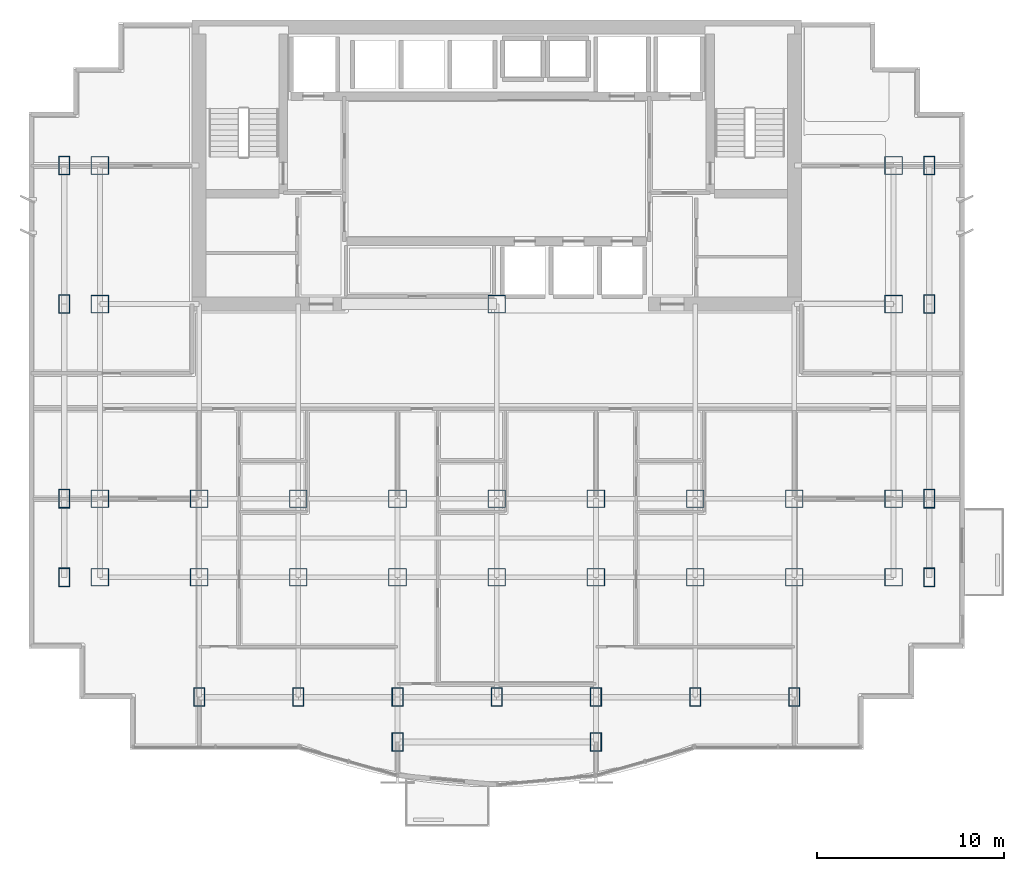
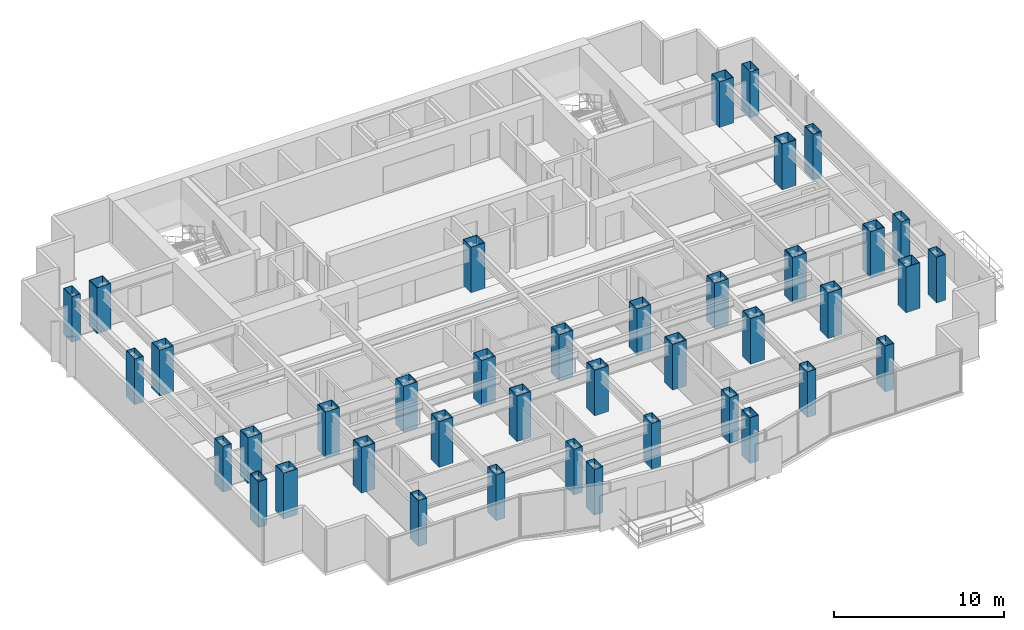
# One storey, part 1 of 9: 40 columns.
"""IFC4 building model written with IfcOpenShell, lengths in metres."""

import ifcopenshell
import ifcopenshell.guid

model = None  # the IFC model being written
_history = None  # IfcOwnerHistory: only IFC2X3 demands one
_inside = {}  # id of a spatial element -> (the spatial element, [elements in it])
_under = {}  # id of a project, library or spatial element -> (it, [spatial elements below it])
_declared = {}  # id of a project -> (the project, [libraries it declares])
_typed = {}  # id of a type object -> (the type object, [elements of that type])
_made_of = {}  # id of a material, layer set ... -> (it, [elements and type objects made of it])


def new_model(schema):
    """Start an empty IFC model of exactly this schema.

    Asked for "IFC4X3", IfcOpenShell would pick the latest addendum, in which some entities
    have other attributes; the version numbers below select the first issue.
    IFC2X3 requires an IfcOwnerHistory on every rooted entity: one is made here for all.
    """
    global model, _history
    if schema == "IFC4X3":
        model = ifcopenshell.file(schema_version=(4, 3, 0, 0))
    else:
        model = ifcopenshell.file(schema=schema)
    _inside.clear()
    _under.clear()
    _declared.clear()
    _typed.clear()
    _made_of.clear()
    _history = None
    if model.schema == "IFC2X3":
        org = make("IfcOrganization", Name="unknown")
        user = make(
            "IfcPersonAndOrganization",
            ThePerson=make("IfcPerson", FamilyName="unknown"),
            TheOrganization=org,
        )
        app = make(
            "IfcApplication",
            ApplicationDeveloper=org,
            Version="unknown",
            ApplicationFullName="unknown",
            ApplicationIdentifier="unknown",
        )
        _history = make(
            "IfcOwnerHistory",
            OwningUser=user,
            OwningApplication=app,
            ChangeAction="ADDED",
            CreationDate=0,
        )
    return model


def make(cls, **values):
    """One entity of the class cls with the attributes given. An attribute that is None is left unset."""
    return model.create_entity(
        cls, **{name: value for name, value in values.items() if value is not None}
    )


def rooted(cls, **values):
    """An entity with a GlobalId (a new one), such as an element, a storey or a relation."""
    return make(cls, GlobalId=ifcopenshell.guid.new(), OwnerHistory=_history, **values)


def si_unit(unit_type, name, prefix=None):
    """IfcSIUnit, for example si_unit("LENGTHUNIT", "METRE", prefix="MILLI")."""
    return make("IfcSIUnit", UnitType=unit_type, Prefix=prefix, Name=name)


def assignment(units):
    """IfcUnitAssignment: the units of a project."""
    return None if units is None else make("IfcUnitAssignment", Units=units)


def point(xyz):
    """IfcCartesianPoint."""
    return None if xyz is None else make("IfcCartesianPoint", Coordinates=xyz)


def direction(xyz):
    """IfcDirection."""
    return None if xyz is None else make("IfcDirection", DirectionRatios=xyz)


def frame(location, z_axis=None, x_axis=None):
    """IfcAxis2Placement3D, a coordinate frame: its origin and axes. An axis left out is left unset."""
    return make(
        "IfcAxis2Placement3D",
        Location=point(location),
        Axis=direction(z_axis),
        RefDirection=direction(x_axis),
    )


def frame_2d(location, x_axis=None):
    """IfcAxis2Placement2D, a coordinate frame in the plane: its origin and x axis."""
    return make(
        "IfcAxis2Placement2D", Location=point(location), RefDirection=direction(x_axis)
    )


def origin():
    """The frame at (0, 0, 0) with its axes left unset."""
    return frame((0.0, 0.0, 0.0))


def origin_2d():
    """The frame at (0, 0) in the plane with its x axis left unset."""
    return frame_2d((0.0, 0.0))


def place(relative_to, where):
    """IfcLocalPlacement: puts the frame where relative to a parent placement (None: the world)."""
    return make(
        "IfcLocalPlacement", PlacementRelTo=relative_to, RelativePlacement=where
    )


def context(
    kind, dimensions, precision=None, world=None, true_north=None, identifier=None
):
    """IfcGeometricRepresentationContext, for example the 3D "Model" context."""
    return make(
        "IfcGeometricRepresentationContext",
        ContextIdentifier=identifier,
        ContextType=kind,
        CoordinateSpaceDimension=dimensions,
        Precision=precision,
        WorldCoordinateSystem=world,
        TrueNorth=true_north,
    )


def subcontext(parent, identifier, kind, view, scale=None):
    """IfcGeometricRepresentationSubContext, for example "Body" below "Model"."""
    return make(
        "IfcGeometricRepresentationSubContext",
        ContextIdentifier=identifier,
        ContextType=kind,
        ParentContext=parent,
        TargetScale=scale,
        TargetView=view,
    )


def project(units=None, contexts=None):
    """IfcProject with its units and contexts."""
    return rooted(
        "IfcProject",
        Name="project",
        RepresentationContexts=contexts,
        UnitsInContext=assignment(units),
    )


def spatial(cls, under=None, at=None, **own):
    """A site, building, storey or space (cls), placed at a placement, below another one or the project."""
    s = rooted(cls, ObjectPlacement=at, **own)
    if under is not None:
        _under.setdefault(under.id(), (under, []))[1].append(s)
    return s


def profile(cls, at=None, kind="AREA", **sizes):
    """A parametric profile (cls). Its sizes go by their IFC names, for example OverallWidth=200.0."""
    return make(cls, ProfileType=kind, Position=at, **sizes)


def hollow_rectangle(**sizes):
    """IfcRectangleHollowProfileDef."""
    return profile("IfcRectangleHollowProfileDef", **sizes)


def extrude(swept, where, along, depth):
    """IfcExtrudedAreaSolid: the profile swept, set in the frame where, extruded along a direction by depth."""
    return make(
        "IfcExtrudedAreaSolid",
        SweptArea=swept,
        Position=where,
        ExtrudedDirection=direction(along),
        Depth=depth,
    )


def shape(context_of_items, identifier, shape_type, items):
    """IfcShapeRepresentation: the items that make up one representation, for example the "Body"."""
    return make(
        "IfcShapeRepresentation",
        ContextOfItems=context_of_items,
        RepresentationIdentifier=identifier,
        RepresentationType=shape_type,
        Items=items,
    )


def material(Name=None, Category=None):
    """IfcMaterial."""
    return make("IfcMaterial", Name=Name, Category=Category)


def material_profile(
    of_material, cross_section, Name=None, Category=None, Priority=None
):
    """IfcMaterialProfile: a cross section and its material."""
    return make(
        "IfcMaterialProfile",
        Name=Name,
        Material=of_material,
        Profile=cross_section,
        Priority=Priority,
        Category=Category,
    )


def profile_set(profiles, Name=None, composite=None):
    """IfcMaterialProfileSet."""
    return make(
        "IfcMaterialProfileSet",
        Name=Name,
        MaterialProfiles=profiles,
        CompositeProfile=composite,
    )


def made_of(thing, what):
    """Note that an element or type object is made of a material, layer set ...; save() writes the relation."""
    if what is not None:
        _made_of.setdefault(what.id(), (what, []))[1].append(thing)
    return thing


def type_object(cls, material=None, **own):
    """A type object (cls), such as IfcWallType, which elements share."""
    return made_of(rooted(cls, **own), material)


def element(
    cls,
    number,
    at=None,
    inside=None,
    cuts=None,
    type_object=None,
    material=None,
    context=None,
    identifier="Body",
    shape_type=None,
    held_by="IfcProductDefinitionShape",
    body=None,
    shapes=None,
    **own,
):
    """One element of the class cls, such as IfcWall. Its Tag is "e" and its number.

    at: its placement. inside: the storey or other place that contains it. cuts: it is an
    opening in that element (IfcRelVoidsElement). A single representation is given by context,
    identifier, shape_type and body (its items); several are given by shapes. held_by: the class
    of the entity that holds the representations. save() writes the other relations.
    """
    e = rooted(cls, Tag="e%d" % number, ObjectPlacement=at, **own)
    if body is not None:
        shapes = [shape(context, identifier, shape_type, body)]
    if shapes is not None:
        e.Representation = make(held_by, Representations=shapes)
    if inside is not None:
        _inside.setdefault(inside.id(), (inside, []))[1].append(e)
    if cuts is not None:
        rooted(
            "IfcRelVoidsElement", RelatingBuildingElement=cuts, RelatedOpeningElement=e
        )
    if type_object is not None:
        _typed.setdefault(type_object.id(), (type_object, []))[1].append(e)
    return made_of(e, material)


def aggregate(whole, parts):
    """IfcRelAggregates: a whole, such as a stair, and the parts it consists of."""
    return rooted("IfcRelAggregates", RelatingObject=whole, RelatedObjects=parts)


def save(model, path):
    """Write the relations noted so far, then the file.

    IfcRelAggregates (storeys below a building ...), IfcRelContainedInSpatialStructure (elements
    in a storey), IfcRelDefinesByType, IfcRelAssociatesMaterial and IfcRelDeclares: one each for
    every whole, place, type object, material and project.
    """
    for whole, parts in _under.values():
        aggregate(whole, parts)
    for where, things in _inside.values():
        rooted(
            "IfcRelContainedInSpatialStructure",
            RelatedElements=things,
            RelatingStructure=where,
        )
    for kind, things in _typed.values():
        rooted("IfcRelDefinesByType", RelatedObjects=things, RelatingType=kind)
    for what, things in _made_of.values():
        rooted("IfcRelAssociatesMaterial", RelatedObjects=things, RelatingMaterial=what)
    for by, libraries in _declared.values():
        rooted("IfcRelDeclares", RelatingContext=by, RelatedDefinitions=libraries)
    model.write(path)


model = new_model("IFC4")

# Units and contexts
model_context = context("Model", 3, precision=1e-05, world=origin(), true_north=direction((0.0, 1.0)))
body_context = subcontext(model_context, "Body", "Model", "MODEL_VIEW")
ifc_project = project(units=[si_unit("LENGTHUNIT", "METRE"), si_unit("AREAUNIT", "SQUARE_METRE"), si_unit("VOLUMEUNIT", "CUBIC_METRE"), si_unit("PLANEANGLEUNIT", "RADIAN"), si_unit("MASSUNIT", "GRAM", prefix="KILO")], contexts=[model_context])

# Site, building, storey
site_placement = place(None, origin())
site = spatial("IfcSite", under=ifc_project, at=site_placement, CompositionType="ELEMENT")
building_placement = place(site_placement, origin())
building = spatial("IfcBuilding", under=site, at=building_placement, Name="Qianlan Lanfeng Residences", CompositionType="ELEMENT")
storey_placement = place(building_placement, frame((0.0, 0.0, 111.39990234375)))
storey = spatial("IfcBuildingStorey", under=building, at=storey_placement, Name="L30", CompositionType="ELEMENT", Elevation=111.39990234375)

# Columns
ifc_material = material(Name="Steel SN490B", Category="steel")
ifc_material_profile_1 = material_profile(ifc_material, hollow_rectangle(XDim=0.949951171875, YDim=0.949951171875, WallThickness=0.031982421875, at=origin_2d()), Name="BOX 950x950x32")
ifc_profile_set_1 = profile_set([ifc_material_profile_1], Name="Steel SN490B")
column_type_1 = type_object("IfcColumnType", Name="C-B1100", PredefinedType="COLUMN", material=ifc_profile_set_1)
for number, where, z_axis, x_axis, name in (
    (1, (26.5, 25.199951171875, 0.0), (0.0, 0.0, 1.0), (1.0, 0.0, 0.0), "L30 Structural Column CP_26.5_25.2"),
    (2, (10.60009765625, 14.800048828125, 0.0), (0.0, 0.0, 1.0), (1.0, 0.0, 0.0), "L30 Structural Column M_10.60_14.80"),
    (3, (10.60009765625, 10.60009765625, 0.0), (0.0, 0.0, 1.0), (1.0, 0.0, 0.0), "L30 Structural Column G_10.60_10.60"),
    (4, (15.89990234375, 14.800048828125, 0.0), (0.0, 0.0, 1.0), (1.0, 0.0, 0.0), "L30 Structural Column M_15.90_14.80"),
    (5, (15.89990234375, 10.60009765625, 0.0), (0.0, 0.0, 1.0), (1.0, 0.0, 0.0), "L30 Structural Column G_15.90_10.60"),
    (6, (21.199951171875, 14.800048828125, 0.0), (0.0, 0.0, 1.0), (1.0, 0.0, 0.0), "L30 Structural Column M_21.20_14.80"),
    (7, (21.199951171875, 10.60009765625, 0.0), (0.0, 0.0, 1.0), (1.0, 0.0, 0.0), "L30 Structural Column G_21.20_10.60"),
    (8, (26.5, 14.800048828125, 0.0), (0.0, 0.0, 1.0), (1.0, 0.0, 0.0), "L30 Structural Column M_26.50_14.80"),
    (9, (26.5, 10.60009765625, 0.0), (0.0, 0.0, 1.0), (1.0, 0.0, 0.0), "L30 Structural Column G_26.50_10.60"),
    (10, (31.800048828125, 14.800048828125, 0.0), (0.0, 0.0, 1.0), (1.0, 0.0, 0.0), "L30 Structural Column M_31.80_14.80"),
    (11, (31.800048828125, 10.60009765625, 0.0), (0.0, 0.0, 1.0), (1.0, 0.0, 0.0), "L30 Structural Column G_31.80_10.60"),
    (12, (37.10009765625, 14.800048828125, 0.0), (0.0, 0.0, 1.0), (1.0, 0.0, 0.0), "L30 Structural Column M_37.10_14.80"),
    (13, (37.10009765625, 10.60009765625, 0.0), (0.0, 0.0, 1.0), (1.0, 0.0, 0.0), "L30 Structural Column G_37.10_10.60"),
    (14, (42.39990234375, 14.800048828125, 0.0), (0.0, 0.0, 1.0), (1.0, 0.0, 0.0), "L30 Structural Column M_42.40_14.80"),
    (15, (42.39990234375, 10.60009765625, 0.0), (0.0, 0.0, 1.0), (1.0, 0.0, 0.0), "L30 Structural Column G_42.40_10.60"),
    (16, (5.300048828125, 10.60009765625, 0.0), (0.0, 0.0, 1.0), (1.0, 0.0, 0.0), "L30 Structural Column W_5.30_10.60"),
    (17, (5.300048828125, 14.800048828125, 0.0), (0.0, 0.0, 1.0), (1.0, 0.0, 0.0), "L30 Structural Column W_5.30_14.80"),
    (18, (5.300048828125, 25.199951171875, 0.0), (0.0, 0.0, 1.0), (1.0, 0.0, 0.0), "L30 Structural Column W_5.30_25.20"),
    (19, (5.300048828125, 32.60009765625, 0.0), (0.0, 0.0, 1.0), (1.0, 0.0, 0.0), "L30 Structural Column W_5.30_32.60"),
    (20, (47.699951171875, 10.60009765625, 0.0), (0.0, 0.0, 1.0), (1.0, 0.0, 0.0), "L30 Structural Column W_47.70_10.60"),
    (21, (47.699951171875, 14.800048828125, 0.0), (0.0, 0.0, 1.0), (1.0, 0.0, 0.0), "L30 Structural Column W_47.70_14.80"),
    (22, (47.699951171875, 25.199951171875, 0.0), (0.0, 0.0, 1.0), (1.0, 0.0, 0.0), "L30 Structural Column W_47.70_25.20"),
    (23, (47.699951171875, 32.60009765625, 0.0), (0.0, 0.0, 1.0), (1.0, 0.0, 0.0), "L30 Structural Column W_47.70_32.60"),
):
    element("IfcColumn", number, at=place(storey_placement, frame(where, z_axis=z_axis, x_axis=x_axis)), inside=storey, type_object=column_type_1, Name=name, PredefinedType="COLUMN", context=body_context, shape_type="SweptSolid", body=[
        extrude(hollow_rectangle(XDim=0.949951171875, YDim=0.949951171875, WallThickness=0.031982421875, at=origin_2d()), origin(), (0.0, 0.0, 1.0), 3.300048828125),
    ])
ifc_material_profile_2 = material_profile(ifc_material, hollow_rectangle(XDim=0.60009765625, YDim=1.0, WallThickness=0.031982421875, at=origin_2d()), Name="BOX 1000x600x32")
ifc_profile_set_2 = profile_set([ifc_material_profile_2], Name="Steel SN490B")
column_type_2 = type_object("IfcColumnType", Name="CE-B1100", PredefinedType="COLUMN", material=ifc_profile_set_2)
for number, where, z_axis, x_axis, name in (
    (24, (21.199951171875, 1.800048828125, 0.0), (0.0, 0.0, 1.0), (1.0, 0.0, 0.0), "L30 Structural Column P_21.20_1.80"),
    (25, (31.800048828125, 1.800048828125, 0.0), (0.0, 0.0, 1.0), (1.0, 0.0, 0.0), "L30 Structural Column P_31.80_1.80"),
    (26, (10.60009765625, 4.199951171875, 0.0), (0.0, 0.0, 1.0), (1.0, 0.0, 0.0), "L30 Structural Column S_10.60_4.20"),
    (27, (15.89990234375, 4.199951171875, 0.0), (0.0, 0.0, 1.0), (1.0, 0.0, 0.0), "L30 Structural Column S_15.90_4.20"),
    (28, (21.199951171875, 4.199951171875, 0.0), (0.0, 0.0, 1.0), (1.0, 0.0, 0.0), "L30 Structural Column S_21.20_4.20"),
    (29, (26.5, 4.199951171875, 0.0), (0.0, 0.0, 1.0), (1.0, 0.0, 0.0), "L30 Structural Column S_26.50_4.20"),
    (30, (31.800048828125, 4.199951171875, 0.0), (0.0, 0.0, 1.0), (1.0, 0.0, 0.0), "L30 Structural Column S_31.80_4.20"),
    (31, (37.10009765625, 4.199951171875, 0.0), (0.0, 0.0, 1.0), (1.0, 0.0, 0.0), "L30 Structural Column S_37.10_4.20"),
    (32, (42.39990234375, 4.199951171875, 0.0), (0.0, 0.0, 1.0), (1.0, 0.0, 0.0), "L30 Structural Column S_42.40_4.20"),
    (33, (3.39990234375, 10.60009765625, 0.0), (0.0, 0.0, 1.0), (1.0, 0.0, 0.0), "L30 Structural Column W_3.40_10.60"),
    (34, (3.39990234375, 14.800048828125, 0.0), (0.0, 0.0, 1.0), (1.0, 0.0, 0.0), "L30 Structural Column W_3.40_14.80"),
    (35, (3.39990234375, 25.199951171875, 0.0), (0.0, 0.0, 1.0), (1.0, 0.0, 0.0), "L30 Structural Column W_3.40_25.20"),
    (36, (3.39990234375, 32.60009765625, 0.0), (0.0, 0.0, 1.0), (1.0, 0.0, 0.0), "L30 Structural Column W_3.40_32.60"),
    (37, (49.60009765625, 10.60009765625, 0.0), (0.0, 0.0, 1.0), (1.0, 0.0, 0.0), "L30 Structural Column W_49.60_10.60"),
    (38, (49.60009765625, 14.800048828125, 0.0), (0.0, 0.0, 1.0), (1.0, 0.0, 0.0), "L30 Structural Column W_49.60_14.80"),
    (39, (49.60009765625, 25.199951171875, 0.0), (0.0, 0.0, 1.0), (1.0, 0.0, 0.0), "L30 Structural Column W_49.60_25.20"),
    (40, (49.60009765625, 32.60009765625, 0.0), (0.0, 0.0, 1.0), (1.0, 0.0, 0.0), "L30 Structural Column W_49.60_32.60"),
):
    element("IfcColumn", number, at=place(storey_placement, frame(where, z_axis=z_axis, x_axis=x_axis)), inside=storey, type_object=column_type_2, Name=name, PredefinedType="COLUMN", context=body_context, shape_type="SweptSolid", body=[
        extrude(hollow_rectangle(XDim=0.60009765625, YDim=1.0, WallThickness=0.031982421875, at=origin_2d()), origin(), (0.0, 0.0, 1.0), 3.300048828125),
    ])

save(model, "model.ifc")
